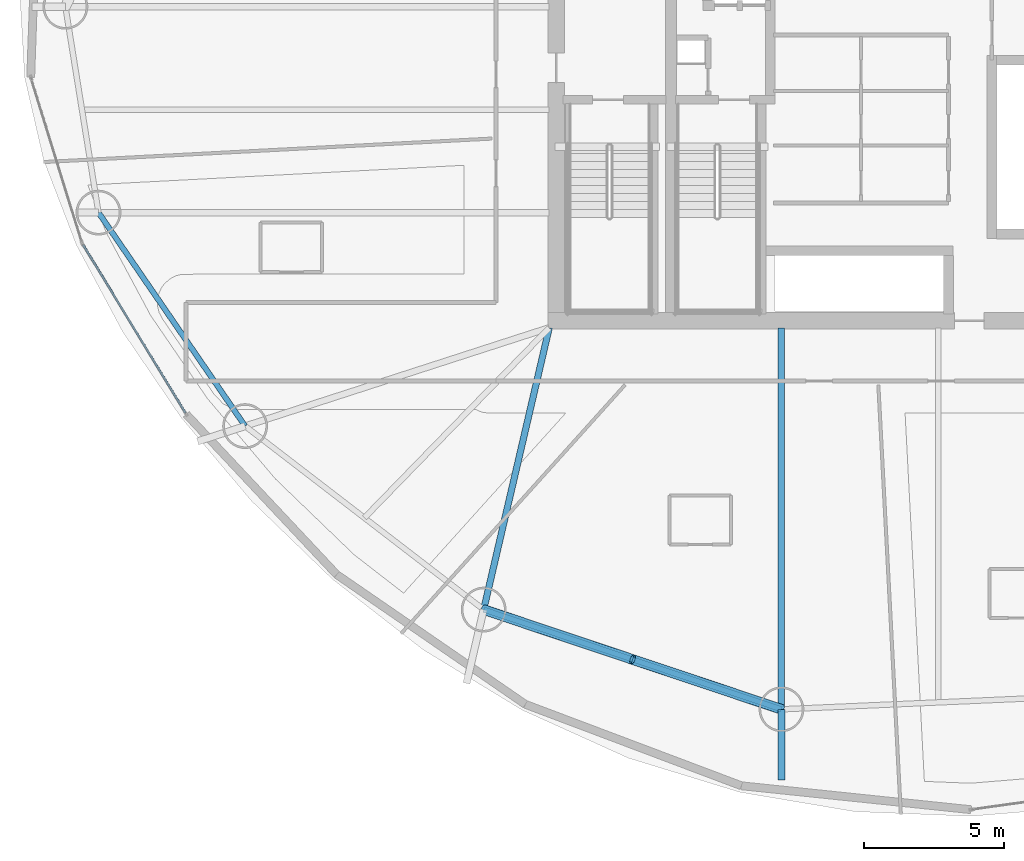
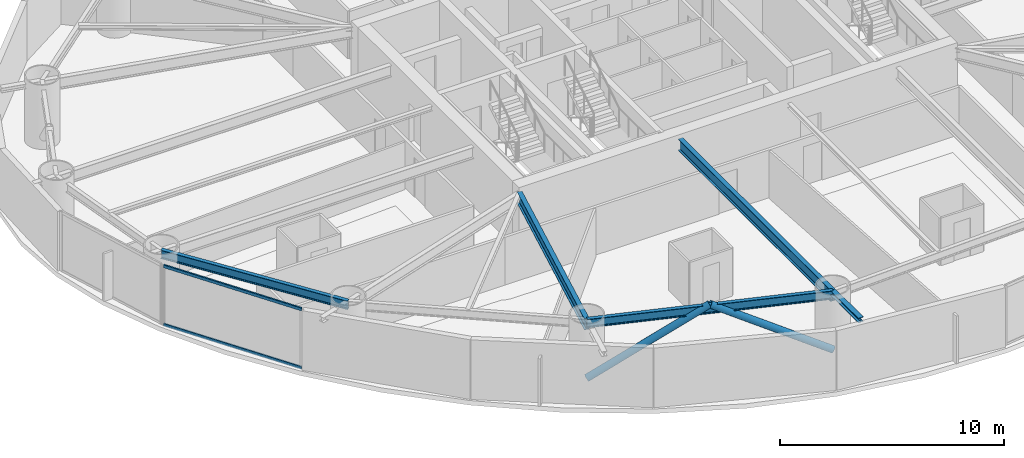
# One storey, part 3 of 30: 5 beams, 4 members, 1 element without a shape of its own.
"""IFC4 building model written with IfcOpenShell, lengths in metres."""

import ifcopenshell
import ifcopenshell.guid

model = None  # the IFC model being written
_history = None  # IfcOwnerHistory: only IFC2X3 demands one
_inside = {}  # id of a spatial element -> (the spatial element, [elements in it])
_under = {}  # id of a project, library or spatial element -> (it, [spatial elements below it])
_declared = {}  # id of a project -> (the project, [libraries it declares])
_typed = {}  # id of a type object -> (the type object, [elements of that type])
_made_of = {}  # id of a material, layer set ... -> (it, [elements and type objects made of it])


def new_model(schema):
    """Start an empty IFC model of exactly this schema.

    Asked for "IFC4X3", IfcOpenShell would pick the latest addendum, in which some entities
    have other attributes; the version numbers below select the first issue.
    IFC2X3 requires an IfcOwnerHistory on every rooted entity: one is made here for all.
    """
    global model, _history
    if schema == "IFC4X3":
        model = ifcopenshell.file(schema_version=(4, 3, 0, 0))
    else:
        model = ifcopenshell.file(schema=schema)
    _inside.clear()
    _under.clear()
    _declared.clear()
    _typed.clear()
    _made_of.clear()
    _history = None
    if model.schema == "IFC2X3":
        org = make("IfcOrganization", Name="unknown")
        user = make(
            "IfcPersonAndOrganization",
            ThePerson=make("IfcPerson", FamilyName="unknown"),
            TheOrganization=org,
        )
        app = make(
            "IfcApplication",
            ApplicationDeveloper=org,
            Version="unknown",
            ApplicationFullName="unknown",
            ApplicationIdentifier="unknown",
        )
        _history = make(
            "IfcOwnerHistory",
            OwningUser=user,
            OwningApplication=app,
            ChangeAction="ADDED",
            CreationDate=0,
        )
    return model


def make(cls, **values):
    """One entity of the class cls with the attributes given. An attribute that is None is left unset."""
    return model.create_entity(
        cls, **{name: value for name, value in values.items() if value is not None}
    )


def rooted(cls, **values):
    """An entity with a GlobalId (a new one), such as an element, a storey or a relation."""
    return make(cls, GlobalId=ifcopenshell.guid.new(), OwnerHistory=_history, **values)


def si_unit(unit_type, name, prefix=None):
    """IfcSIUnit, for example si_unit("LENGTHUNIT", "METRE", prefix="MILLI")."""
    return make("IfcSIUnit", UnitType=unit_type, Prefix=prefix, Name=name)


def assignment(units):
    """IfcUnitAssignment: the units of a project."""
    return None if units is None else make("IfcUnitAssignment", Units=units)


def point(xyz):
    """IfcCartesianPoint."""
    return None if xyz is None else make("IfcCartesianPoint", Coordinates=xyz)


def direction(xyz):
    """IfcDirection."""
    return None if xyz is None else make("IfcDirection", DirectionRatios=xyz)


def frame(location, z_axis=None, x_axis=None):
    """IfcAxis2Placement3D, a coordinate frame: its origin and axes. An axis left out is left unset."""
    return make(
        "IfcAxis2Placement3D",
        Location=point(location),
        Axis=direction(z_axis),
        RefDirection=direction(x_axis),
    )


def frame_2d(location, x_axis=None):
    """IfcAxis2Placement2D, a coordinate frame in the plane: its origin and x axis."""
    return make(
        "IfcAxis2Placement2D", Location=point(location), RefDirection=direction(x_axis)
    )


def origin():
    """The frame at (0, 0, 0) with its axes left unset."""
    return frame((0.0, 0.0, 0.0))


def origin_2d():
    """The frame at (0, 0) in the plane with its x axis left unset."""
    return frame_2d((0.0, 0.0))


def place(relative_to, where):
    """IfcLocalPlacement: puts the frame where relative to a parent placement (None: the world)."""
    return make(
        "IfcLocalPlacement", PlacementRelTo=relative_to, RelativePlacement=where
    )


def context(
    kind, dimensions, precision=None, world=None, true_north=None, identifier=None
):
    """IfcGeometricRepresentationContext, for example the 3D "Model" context."""
    return make(
        "IfcGeometricRepresentationContext",
        ContextIdentifier=identifier,
        ContextType=kind,
        CoordinateSpaceDimension=dimensions,
        Precision=precision,
        WorldCoordinateSystem=world,
        TrueNorth=true_north,
    )


def subcontext(parent, identifier, kind, view, scale=None):
    """IfcGeometricRepresentationSubContext, for example "Body" below "Model"."""
    return make(
        "IfcGeometricRepresentationSubContext",
        ContextIdentifier=identifier,
        ContextType=kind,
        ParentContext=parent,
        TargetScale=scale,
        TargetView=view,
    )


def project(units=None, contexts=None):
    """IfcProject with its units and contexts."""
    return rooted(
        "IfcProject",
        Name="project",
        RepresentationContexts=contexts,
        UnitsInContext=assignment(units),
    )


def spatial(cls, under=None, at=None, **own):
    """A site, building, storey or space (cls), placed at a placement, below another one or the project."""
    s = rooted(cls, ObjectPlacement=at, **own)
    if under is not None:
        _under.setdefault(under.id(), (under, []))[1].append(s)
    return s


def profile(cls, at=None, kind="AREA", **sizes):
    """A parametric profile (cls). Its sizes go by their IFC names, for example OverallWidth=200.0."""
    return make(cls, ProfileType=kind, Position=at, **sizes)


def hollow_rectangle(**sizes):
    """IfcRectangleHollowProfileDef."""
    return profile("IfcRectangleHollowProfileDef", **sizes)


def hollow_circle(**sizes):
    """IfcCircleHollowProfileDef."""
    return profile("IfcCircleHollowProfileDef", **sizes)


def i_section(**sizes):
    """IfcIShapeProfileDef."""
    return profile("IfcIShapeProfileDef", **sizes)


def extrude(swept, where, along, depth):
    """IfcExtrudedAreaSolid: the profile swept, set in the frame where, extruded along a direction by depth."""
    return make(
        "IfcExtrudedAreaSolid",
        SweptArea=swept,
        Position=where,
        ExtrudedDirection=direction(along),
        Depth=depth,
    )


def shape(context_of_items, identifier, shape_type, items):
    """IfcShapeRepresentation: the items that make up one representation, for example the "Body"."""
    return make(
        "IfcShapeRepresentation",
        ContextOfItems=context_of_items,
        RepresentationIdentifier=identifier,
        RepresentationType=shape_type,
        Items=items,
    )


def material(Name=None, Category=None):
    """IfcMaterial."""
    return make("IfcMaterial", Name=Name, Category=Category)


def layer(
    of_material, thickness, ventilated=None, Name=None, Category=None, Priority=None
):
    """IfcMaterialLayer: one layer of a wall or slab, of a material (None: an air gap)."""
    return make(
        "IfcMaterialLayer",
        Material=of_material,
        LayerThickness=thickness,
        IsVentilated=ventilated,
        Name=Name,
        Category=Category,
        Priority=Priority,
    )


def layer_set(layers, Name=None):
    """IfcMaterialLayerSet."""
    return make("IfcMaterialLayerSet", MaterialLayers=layers, LayerSetName=Name)


def material_profile(
    of_material, cross_section, Name=None, Category=None, Priority=None
):
    """IfcMaterialProfile: a cross section and its material."""
    return make(
        "IfcMaterialProfile",
        Name=Name,
        Material=of_material,
        Profile=cross_section,
        Priority=Priority,
        Category=Category,
    )


def profile_set(profiles, Name=None, composite=None):
    """IfcMaterialProfileSet."""
    return make(
        "IfcMaterialProfileSet",
        Name=Name,
        MaterialProfiles=profiles,
        CompositeProfile=composite,
    )


def made_of(thing, what):
    """Note that an element or type object is made of a material, layer set ...; save() writes the relation."""
    if what is not None:
        _made_of.setdefault(what.id(), (what, []))[1].append(thing)
    return thing


def type_object(cls, material=None, **own):
    """A type object (cls), such as IfcWallType, which elements share."""
    return made_of(rooted(cls, **own), material)


def element(
    cls,
    number,
    at=None,
    inside=None,
    cuts=None,
    type_object=None,
    material=None,
    context=None,
    identifier="Body",
    shape_type=None,
    held_by="IfcProductDefinitionShape",
    body=None,
    shapes=None,
    **own,
):
    """One element of the class cls, such as IfcWall. Its Tag is "e" and its number.

    at: its placement. inside: the storey or other place that contains it. cuts: it is an
    opening in that element (IfcRelVoidsElement). A single representation is given by context,
    identifier, shape_type and body (its items); several are given by shapes. held_by: the class
    of the entity that holds the representations. save() writes the other relations.
    """
    e = rooted(cls, Tag="e%d" % number, ObjectPlacement=at, **own)
    if body is not None:
        shapes = [shape(context, identifier, shape_type, body)]
    if shapes is not None:
        e.Representation = make(held_by, Representations=shapes)
    if inside is not None:
        _inside.setdefault(inside.id(), (inside, []))[1].append(e)
    if cuts is not None:
        rooted(
            "IfcRelVoidsElement", RelatingBuildingElement=cuts, RelatedOpeningElement=e
        )
    if type_object is not None:
        _typed.setdefault(type_object.id(), (type_object, []))[1].append(e)
    return made_of(e, material)


def aggregate(whole, parts):
    """IfcRelAggregates: a whole, such as a stair, and the parts it consists of."""
    return rooted("IfcRelAggregates", RelatingObject=whole, RelatedObjects=parts)


def save(model, path):
    """Write the relations noted so far, then the file.

    IfcRelAggregates (storeys below a building ...), IfcRelContainedInSpatialStructure (elements
    in a storey), IfcRelDefinesByType, IfcRelAssociatesMaterial and IfcRelDeclares: one each for
    every whole, place, type object, material and project.
    """
    for whole, parts in _under.values():
        aggregate(whole, parts)
    for where, things in _inside.values():
        rooted(
            "IfcRelContainedInSpatialStructure",
            RelatedElements=things,
            RelatingStructure=where,
        )
    for kind, things in _typed.values():
        rooted("IfcRelDefinesByType", RelatedObjects=things, RelatingType=kind)
    for what, things in _made_of.values():
        rooted("IfcRelAssociatesMaterial", RelatedObjects=things, RelatingMaterial=what)
    for by, libraries in _declared.values():
        rooted("IfcRelDeclares", RelatingContext=by, RelatedDefinitions=libraries)
    model.write(path)


model = new_model("IFC4")

# Units and contexts
model_context = context("Model", 3, precision=1e-05, world=origin(), true_north=direction((0.0, 1.0)))
body_context = subcontext(model_context, "Body", "Model", "MODEL_VIEW")
ifc_project = project(units=[si_unit("LENGTHUNIT", "METRE"), si_unit("AREAUNIT", "SQUARE_METRE"), si_unit("VOLUMEUNIT", "CUBIC_METRE"), si_unit("PLANEANGLEUNIT", "RADIAN"), si_unit("MASSUNIT", "GRAM", prefix="KILO")], contexts=[model_context])

# Site, building, storey
site_placement = place(None, origin())
site = spatial("IfcSite", under=ifc_project, at=site_placement, CompositionType="ELEMENT")
building_placement = place(site_placement, origin())
building = spatial("IfcBuilding", under=site, at=building_placement, Name="Bramvorn Convention Spire", CompositionType="ELEMENT")
storey_placement = place(building_placement, frame((0.0, 0.0, 86.89990234375)))
storey = spatial("IfcBuildingStorey", under=building, at=storey_placement, Name="L20", CompositionType="ELEMENT", Elevation=86.89990234375)

# Beams
ifc_material_1 = material(Name="Steel CSA G40.21 Grade 350 (350W)", Category="steel")
ifc_material_profile_1 = material_profile(ifc_material_1, i_section(OverallWidth=0.25390625, OverallDepth=0.2529296875, WebThickness=0.008544921875, FlangeThickness=0.01416015625, FilletRadius=0.011962890625, at=origin_2d()))
ifc_profile_set_1 = profile_set([ifc_material_profile_1], Name="Steel CSA G40.21 Grade 350 (350W) - W250X73")
beam_type_1 = type_object("IfcBeamType", Name="BM-W250X73", PredefinedType="BEAM", material=ifc_profile_set_1)
beam_1_placement = place(storey_placement, frame((35.0390625, 4.93115234375, 3.12353515625), z_axis=(0.0, -1.0, 0.0), x_axis=(1.0, 0.0, 0.0)))
element("IfcBeam", 1, at=beam_1_placement, inside=storey, type_object=beam_type_1, Name="L20 slab-edge cantilever tip beam MC13", PredefinedType="BEAM", context=body_context, shape_type="SweptSolid", body=[
    extrude(i_section(OverallWidth=0.25390625, OverallDepth=0.2529296875, WebThickness=0.008544921875, FlangeThickness=0.01416015625, FilletRadius=0.011962890625, at=origin_2d()), origin(), (0.0, 0.0, 1.0), 2.51708984375),
])
ifc_material_profile_2 = material_profile(ifc_material_1, i_section(OverallWidth=0.194091796875, OverallDepth=0.468994140625, WebThickness=0.0126953125, FlangeThickness=0.0205078125, FilletRadius=0.01806640625, at=origin_2d()))
ifc_profile_set_2 = profile_set([ifc_material_profile_2], Name="Steel CSA G40.21 Grade 350 (350W) - W460X106")
beam_type_2 = type_object("IfcBeamType", Name="BM-W460X106", PredefinedType="SPANDREL", material=ifc_profile_set_2)
beam_2_placement = place(storey_placement, frame((10.661376953125, 22.659912109375, 3.015625), z_axis=(0.566129730789, -0.824316157743, 0.0), x_axis=(0.824316157743, 0.566129730789, 0.0)))
element("IfcBeam", 2, at=beam_2_placement, inside=storey, type_object=beam_type_2, Name="L20 mega-column ring beam 10", PredefinedType="SPANDREL", context=body_context, shape_type="SweptSolid", body=[
    extrude(i_section(OverallWidth=0.194091796875, OverallDepth=0.468994140625, WebThickness=0.0126953125, FlangeThickness=0.0205078125, FilletRadius=0.01806640625, at=origin_2d()), origin(), (0.0, 0.0, 1.0), 9.244140625),
])
beam_3_placement = place(storey_placement, frame((24.40966796875, 8.490966796875, 3.015625), z_axis=(0.948235872727, -0.317566890078, 0.0), x_axis=(0.317566890078, 0.948235872727, 0.0)))
element("IfcBeam", 3, at=beam_3_placement, inside=storey, type_object=beam_type_2, Name="L20 mega-column ring beam 12", PredefinedType="SPANDREL", context=body_context, shape_type="SweptSolid", body=[
    extrude(i_section(OverallWidth=0.194091796875, OverallDepth=0.468994140625, WebThickness=0.0126953125, FlangeThickness=0.0205078125, FilletRadius=0.01806640625, at=origin_2d()), origin(), (0.0, 0.0, 1.0), 11.209716796875),
])
ifc_material_profile_3 = material_profile(ifc_material_1, i_section(OverallWidth=0.22998046875, OverallDepth=0.616943359375, WebThickness=0.01318359375, FlangeThickness=0.022216796875, FilletRadius=0.02001953125, at=origin_2d()))
ifc_profile_set_3 = profile_set([ifc_material_profile_3], Name="Steel CSA G40.21 Grade 350 (350W) - W610X140")
beam_type_3 = type_object("IfcBeamType", Name="BM-W610X140", PredefinedType="BEAM", material=ifc_profile_set_3)
beam_4_placement = place(storey_placement, frame((26.75, 18.550048828125, 2.941650390625), z_axis=(-0.226606328522, -0.973986433106, 0.0), x_axis=(0.973986433106, -0.226606328522, 0.0)))
element("IfcBeam", 4, at=beam_4_placement, inside=storey, type_object=beam_type_3, Name="L20 radial floor girder MC12", PredefinedType="BEAM", context=body_context, shape_type="SweptSolid", body=[
    extrude(i_section(OverallWidth=0.22998046875, OverallDepth=0.616943359375, WebThickness=0.01318359375, FlangeThickness=0.022216796875, FilletRadius=0.02001953125, at=origin_2d()), origin(), (0.0, 0.0, 1.0), 10.32763671875),
])
beam_5_placement = place(storey_placement, frame((35.0390625, 18.550048828125, 2.941650390625), z_axis=(0.0, -1.0, 0.0), x_axis=(1.0, 0.0, 0.0)))
element("IfcBeam", 5, at=beam_5_placement, inside=storey, type_object=beam_type_3, Name="L20 radial floor girder MC13", PredefinedType="BEAM", context=body_context, shape_type="SweptSolid", body=[
    extrude(i_section(OverallWidth=0.22998046875, OverallDepth=0.616943359375, WebThickness=0.01318359375, FlangeThickness=0.022216796875, FilletRadius=0.02001953125, at=origin_2d()), origin(), (0.0, 0.0, 1.0), 13.618896484375),
])

# Curtain wall, members
ifc_material_2 = material(Name="Anodised Bronze Unitised Curtain Wall", Category="aluminium")
ifc_layer = layer(ifc_material_2, 0.179931640625)
ifc_layer_set = layer_set([ifc_layer], Name="Anodised Bronze Unitised Curtain Wall - CW-HTL-FRIT")
curtain_wall_type = type_object("IfcCurtainWallType", Name="CW-HTL-FRIT", PredefinedType="USERDEFINED", material=ifc_layer_set)
curtain_wall_placement = place(storey_placement, origin())
curtain_wall = element("IfcCurtainWall", 6, at=curtain_wall_placement, inside=storey, type_object=curtain_wall_type, Name="L20 fritted glass curtain wall 15", ObjectType="UNITISED CURTAIN WALL", PredefinedType="USERDEFINED")
ifc_material_3 = material(Name="Anodised Bronze Aluminium 6063-T6", Category="aluminium")
ifc_material_profile_4 = material_profile(ifc_material_3, hollow_rectangle(XDim=0.080078125, YDim=0.159912109375, WallThickness=0.00390625, InnerFilletRadius=0.0009765625, OuterFilletRadius=0.00390625, at=origin_2d()))
ifc_profile_set_4 = profile_set([ifc_material_profile_4], Name="Anodised Bronze Aluminium 6063-T6 - CWT80X160")
member_type_1 = type_object("IfcMemberType", Name="CW-TRN-150", PredefinedType="USERDEFINED", material=ifc_profile_set_4)
member_1_placement = place(storey_placement, frame((13.7646484375, 15.51171875, 0.030029296875), z_axis=(-0.520072667848, 0.854122017136, 0.0), x_axis=(-0.854122017136, -0.520072667848, 0.0)))
member_1 = element("IfcMember", 7, at=member_1_placement, type_object=member_type_1, Name="CW2 transom 1.1", ObjectType="TRANSOM", PredefinedType="USERDEFINED", context=body_context, shape_type="SweptSolid", body=[
    extrude(hollow_rectangle(XDim=0.080078125, YDim=0.159912109375, WallThickness=0.00390625, InnerFilletRadius=0.0009765625, OuterFilletRadius=0.00390625, at=origin_2d()), origin(), (0.0, 0.0, 1.0), 7.022705078125),
])
member_2_placement = place(storey_placement, frame((13.7646484375, 15.51171875, 3.22021484375), z_axis=(-0.520072667848, 0.854122017136, 0.0), x_axis=(-0.854122017136, -0.520072667848, 0.0)))
member_2 = element("IfcMember", 8, at=member_2_placement, type_object=member_type_1, Name="CW2 transom 1.2", ObjectType="TRANSOM", PredefinedType="USERDEFINED", context=body_context, shape_type="SweptSolid", body=[
    extrude(hollow_rectangle(XDim=0.080078125, YDim=0.159912109375, WallThickness=0.00390625, InnerFilletRadius=0.0009765625, OuterFilletRadius=0.00390625, at=origin_2d()), origin(), (0.0, 0.0, 1.0), 7.022705078125),
])
aggregate(curtain_wall, [member_1, member_2])

# Members
ifc_material_profile_5 = material_profile(ifc_material_1, hollow_circle(Radius=0.177734375, WallThickness=0.015869140625, at=origin_2d()))
ifc_profile_set_5 = profile_set([ifc_material_profile_5], Name="Steel CSA G40.21 Grade 350 (350W) - CHS356X16")
member_type_2 = type_object("IfcMemberType", Name="MBR-CHS356X16", PredefinedType="BRACE", material=ifc_profile_set_5)
for number, where, z_axis, x_axis, name in (
    (9, (24.40966796875, 8.490966796875, 0.0), (0.820300118259, -0.274739683138, 0.501623187756), (0.31758647294, 0.948229314146, 0.0), "L20 perimeter Gothic lancet brace 12A"),
    (10, (35.0390625, 4.93115234375, 0.0), (-0.820308610169, 0.274704844877, 0.501628380659), (-0.31754730681, -0.948242430994, 0.0), "L20 perimeter Gothic lancet brace 12B"),
):
    element("IfcMember", number, at=place(storey_placement, frame(where, z_axis=z_axis, x_axis=x_axis)), inside=storey, type_object=member_type_2, Name=name, PredefinedType="BRACE", context=body_context, shape_type="SweptSolid", body=[
        extrude(hollow_circle(Radius=0.177734375, WallThickness=0.015869140625, at=origin_2d()), origin(), (0.0, 0.0, 1.0), 6.47900390625),
    ])

save(model, "model.ifc")
